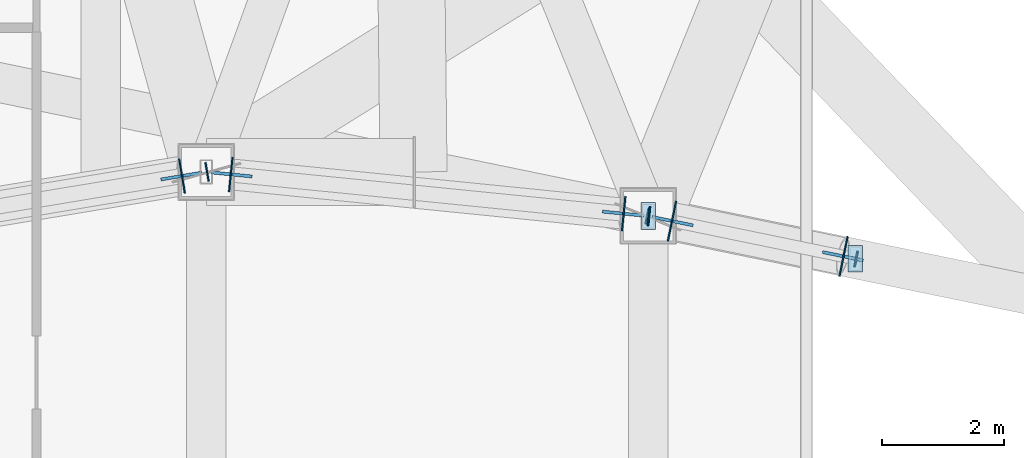
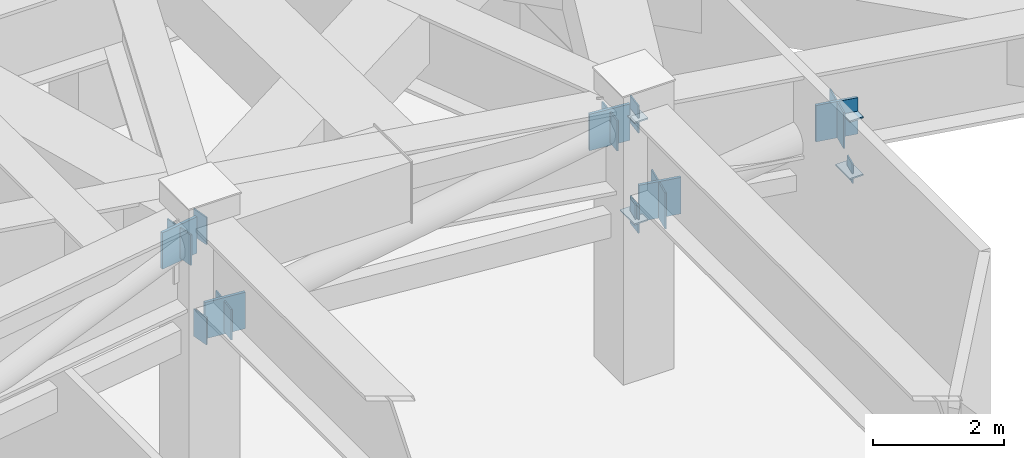
# One storey, part 12 of 19: 20 plates.
"""IFC4 building model written with IfcOpenShell, lengths in metres."""

from ifc_helpers import new_model, si_unit, direction, frame, origin, origin_2d, place, context, subcontext, project, spatial, rectangle, extrude, material, layer, layer_set, type_object, element, save


model = new_model("IFC4")

# Units and contexts
model_context = context("Model", 3, precision=1e-05, world=origin(), true_north=direction((0.0, 1.0)))
body_context = subcontext(model_context, "Body", "Model", "MODEL_VIEW")
ifc_project = project(units=[si_unit("LENGTHUNIT", "METRE"), si_unit("AREAUNIT", "SQUARE_METRE"), si_unit("VOLUMEUNIT", "CUBIC_METRE"), si_unit("PLANEANGLEUNIT", "RADIAN"), si_unit("MASSUNIT", "GRAM", prefix="KILO")], contexts=[model_context])

# Site, building, storey
site_placement = place(None, origin())
site = spatial("IfcSite", under=ifc_project, at=site_placement, CompositionType="ELEMENT")
building_placement = place(site_placement, origin())
building = spatial("IfcBuilding", under=site, at=building_placement, Name="Khamvora Tower", CompositionType="ELEMENT")
storey_placement = place(building_placement, frame((0.0, 0.0, 150.5)))
storey = spatial("IfcBuildingStorey", under=building, at=storey_placement, Name="L38", CompositionType="ELEMENT", Elevation=150.5)

# Plates
ifc_material_1 = material(Name="Steel S355", Category="steel")
ifc_layer_1 = layer(ifc_material_1, 0.02490234375)
ifc_layer_set_1 = layer_set([ifc_layer_1], Name="Steel S355")
plate_type_1 = type_object("IfcPlateType", Name="PL-CAP-25", PredefinedType="SHEET", material=ifc_layer_set_1)
for number, where, z_axis, x_axis, name in (
    (1, (46.662109375, 38.201904296875, 4.375), (0.0, 0.0, 1.0), (0.986577862158, 0.163291524277, 0.0), "L38 hollow section steel end cap plate 0833"),
    (2, (46.662109375, 38.201904296875, 2.5048828125), (0.0, 0.0, 1.0), (0.986577862158, 0.163291524277, 0.0), "L38 hollow section steel end cap plate 0835"),
):
    element("IfcPlate", number, at=place(storey_placement, frame(where, z_axis=z_axis, x_axis=x_axis)), inside=storey, type_object=plate_type_1, Name=name, PredefinedType="SHEET", context=body_context, shape_type="SweptSolid", body=[
        extrude(rectangle(XDim=0.02490234375, YDim=0.31005859375, at=origin_2d()), origin(), (0.0, 0.0, 1.0), 0.510009765625),
    ])
plate_placement = place(storey_placement, frame((46.2509765625, 38.134033203125, 4.2431640625), z_axis=(0.0, 0.0, 1.0), x_axis=(0.986580711982, 0.16327430522, 0.0)))
element("IfcPlate", 3, at=plate_placement, inside=storey, type_object=plate_type_1, Name="L38 hollow section steel end cap plate 0837", PredefinedType="SHEET", context=body_context, shape_type="SweptSolid", body=[
    extrude(rectangle(XDim=0.02490234375, YDim=0.568115234375, at=origin_2d()), origin(), (0.0, 0.0, 1.0), 0.568115234375),
])
for number, where, z_axis, x_axis, name in (
    (4, (53.912109375, 37.47412109375, 4.375), (0.0, 0.0, 1.0), (0.9950364836, -0.099510784867, 0.0), "L38 hollow section steel end cap plate 0838"),
    (5, (53.912109375, 37.47412109375, 2.5048828125), (0.0, 0.0, 1.0), (0.9950364836, -0.099510784867, 0.0), "L38 hollow section steel end cap plate 0839"),
):
    element("IfcPlate", number, at=place(storey_placement, frame(where, z_axis=z_axis, x_axis=x_axis)), inside=storey, type_object=plate_type_1, Name=name, PredefinedType="SHEET", context=body_context, shape_type="SweptSolid", body=[
        extrude(rectangle(XDim=0.02490234375, YDim=0.31005859375, at=origin_2d()), origin(), (0.0, 0.0, 1.0), 0.510009765625),
    ])
for number, where, z_axis, x_axis, name in (
    (6, (47.052001953125, 38.159912109375, 2.580078125), (0.0, 0.0, 1.0), (0.995024318638, -0.099632350764, 0.0), "L38 hollow section steel end cap plate 0840"),
    (7, (53.498046875, 37.514892578125, 4.24169921875), (0.0, 0.0, 1.0), (0.995024318638, -0.099632350764, 0.0), "L38 hollow section steel end cap plate 0841"),
):
    element("IfcPlate", number, at=place(storey_placement, frame(where, z_axis=z_axis, x_axis=x_axis)), inside=storey, type_object=plate_type_1, Name=name, PredefinedType="SHEET", context=body_context, shape_type="SweptSolid", body=[
        extrude(rectangle(XDim=0.02490234375, YDim=0.568115234375, at=origin_2d()), origin(), (0.0, 0.0, 1.0), 0.568115234375),
    ])
for number, where, z_axis, x_axis, name in (
    (8, (53.89990234375, 37.47509765625, 2.735595703125), (0.0, 0.0, 1.0), (1.0, 0.0, 0.0), "L38 hollow section steel end cap plate 0842"),
    (9, (53.89990234375, 37.47509765625, 4.629638671875), (0.0, 0.0, 1.0), (1.0, 0.0, 0.0), "L38 hollow section steel end cap plate 0843"),
):
    element("IfcPlate", number, at=place(storey_placement, frame(where, z_axis=z_axis, x_axis=x_axis)), inside=storey, type_object=plate_type_1, Name=name, PredefinedType="SHEET", context=body_context, shape_type="SweptSolid", body=[
        extrude(rectangle(XDim=0.239990234375, YDim=0.43994140625, at=origin_2d()), origin(), (0.0, 0.0, 1.0), 0.02490234375),
    ])
for number, where, z_axis, x_axis, name in (
    (10, (53.887939453125, 37.47802734375, 2.66015625), (0.0, 0.0, 1.0), (0.979455755093, -0.201659177363, 0.0), "L38 hollow section steel end cap plate 0890"),
    (11, (57.31201171875, 36.77197265625, 2.66015625), (0.0, 0.0, 1.0), (0.979455755093, -0.201659177363, 0.0), "L38 hollow section steel end cap plate 0891"),
):
    element("IfcPlate", number, at=place(storey_placement, frame(where, z_axis=z_axis, x_axis=x_axis)), inside=storey, type_object=plate_type_1, Name=name, PredefinedType="SHEET", context=body_context, shape_type="SweptSolid", body=[
        extrude(rectangle(XDim=0.02490234375, YDim=0.260009765625, at=origin_2d()), origin(), (0.0, 0.0, 1.0), 0.360107421875),
    ])
for number, where, z_axis, x_axis, name in (
    (12, (57.300048828125, 36.77490234375, 2.8154296875), (0.0, 0.0, 1.0), (1.0, 0.0, 0.0), "L38 hollow section steel end cap plate 0892"),
    (13, (57.300048828125, 36.77490234375, 3.8896484375), (0.0, 0.0, 1.0), (1.0, 0.0, 0.0), "L38 hollow section steel end cap plate 0893"),
):
    element("IfcPlate", number, at=place(storey_placement, frame(where, z_axis=z_axis, x_axis=x_axis)), inside=storey, type_object=plate_type_1, Name=name, PredefinedType="SHEET", context=body_context, shape_type="SweptSolid", body=[
        extrude(rectangle(XDim=0.239990234375, YDim=0.43994140625, at=origin_2d()), origin(), (0.0, 0.0, 1.0), 0.02490234375),
    ])
for number, where, z_axis, x_axis, name in (
    (14, (54.291015625, 37.39404296875, 2.625), (0.0, 0.0, 1.0), (0.979431110467, -0.201778838952, 0.0), "L38 hollow section steel end cap plate 0894"),
    (15, (57.10595703125, 36.81494140625, 3.4951171875), (0.0, 0.0, 1.0), (0.979431110467, -0.201778838952, 0.0), "L38 hollow section steel end cap plate 0895"),
):
    element("IfcPlate", number, at=place(storey_placement, frame(where, z_axis=z_axis, x_axis=x_axis)), inside=storey, type_object=plate_type_1, Name=name, PredefinedType="SHEET", context=body_context, shape_type="SweptSolid", body=[
        extrude(rectangle(XDim=0.02490234375, YDim=0.669921875, at=origin_2d()), origin(), (0.0, 0.0, 1.0), 0.669921875),
    ])
ifc_material_2 = material(Name="Steel S460", Category="steel")
ifc_layer_2 = layer(ifc_material_2, 0.050048828125)
ifc_layer_set_2 = layer_set([ifc_layer_2], Name="Steel S460")
plate_type_2 = type_object("IfcPlateType", Name="PLT-GUS-50", PredefinedType="SHEET", material=ifc_layer_set_2)
for number, where, z_axis, x_axis, name in (
    (16, (46.239013671875, 38.132080078125, 4.18408203125), (0.0, 0.0, 1.0), (0.986577862158, 0.163291524277, 0.0), "L38 brace connection node gusset plate 0242"),
    (17, (47.06396484375, 38.158935546875, 2.52685546875), (0.0, 0.0, 1.0), (0.9950364836, -0.099510784867, 0.0), "L38 brace connection node gusset plate 0243"),
    (18, (53.486083984375, 37.51611328125, 4.18310546875), (0.0, 0.0, 1.0), (0.9950364836, -0.099510784867, 0.0), "L38 brace connection node gusset plate 0244"),
    (19, (54.302978515625, 37.39208984375, 2.6240234375), (0.0, 0.0, 1.0), (0.979455755093, -0.201659177363, 0.0), "L38 brace connection node gusset plate 0267"),
    (20, (57.093994140625, 36.81689453125, 3.48583984375), (0.0, 0.0, 1.0), (0.979455755093, -0.201659177363, 0.0), "L38 brace connection node gusset plate 0268"),
):
    element("IfcPlate", number, at=place(storey_placement, frame(where, z_axis=z_axis, x_axis=x_axis)), inside=storey, type_object=plate_type_2, Name=name, PredefinedType="SHEET", context=body_context, shape_type="SweptSolid", body=[
        extrude(rectangle(XDim=0.679931640625, YDim=0.050048828125, at=origin_2d()), origin(), (0.0, 0.0, 1.0), 0.679931640625),
    ])

save(model, "model.ifc")
